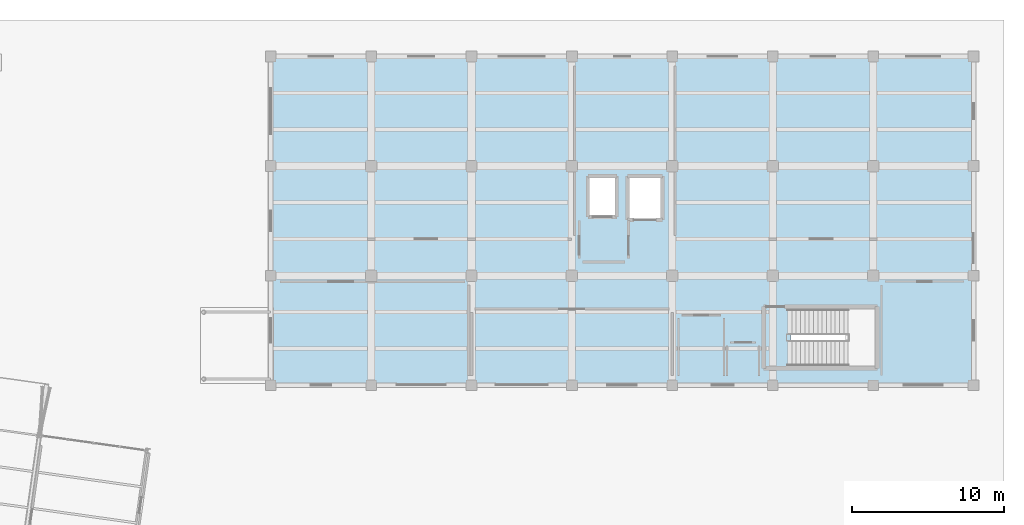
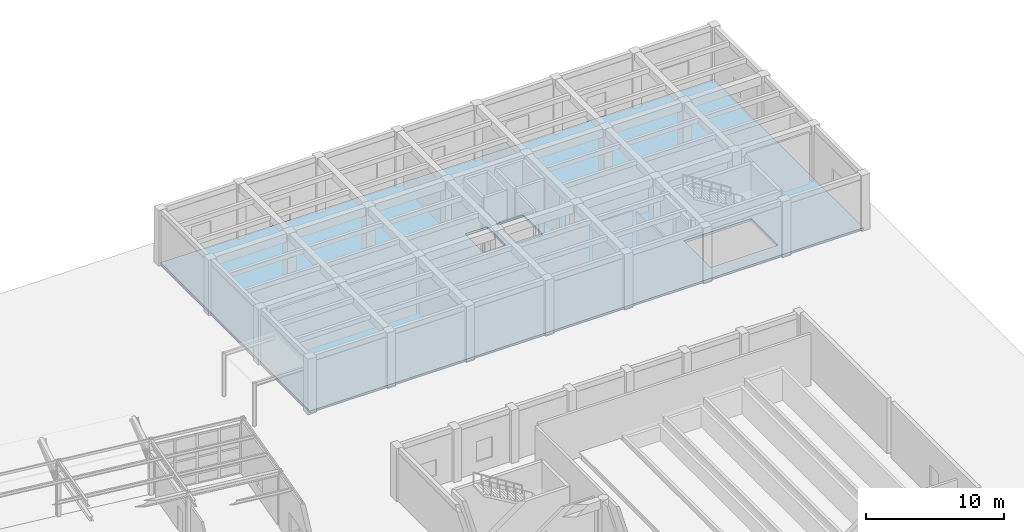
# One storey, part 36 of 57: 1 slab.
"""IFC4 building model written with IfcOpenShell, lengths in metres."""

from ifc_helpers import new_model, si_unit, direction, frame, origin, place, context, subcontext, project, spatial, polyline, outline, extrude, material, layer, layer_set, type_object, element, save


model = new_model("IFC4")

# Units and contexts
model_context = context("Model", 3, precision=1e-05, world=origin(), true_north=direction((0.0, 1.0)))
body_context = subcontext(model_context, "Body", "Model", "MODEL_VIEW")
ifc_project = project(units=[si_unit("LENGTHUNIT", "METRE"), si_unit("AREAUNIT", "SQUARE_METRE"), si_unit("VOLUMEUNIT", "CUBIC_METRE"), si_unit("PLANEANGLEUNIT", "RADIAN"), si_unit("MASSUNIT", "GRAM", prefix="KILO")], contexts=[model_context])

# Site, building, storey
site_placement = place(None, origin())
site = spatial("IfcSite", under=ifc_project, at=site_placement, CompositionType="ELEMENT")
building_placement = place(site_placement, origin())
building = spatial("IfcBuilding", under=site, at=building_placement, Name="Kharisveld Research Institute", CompositionType="ELEMENT")
storey_placement = place(building_placement, origin())
storey = spatial("IfcBuildingStorey", under=building, at=storey_placement, Name="L00", CompositionType="ELEMENT", Elevation=0.0)

# Slab
ifc_material = material(Name="Concrete C40/50", Category="concrete")
ifc_layer = layer(ifc_material, 0.2099609375)
ifc_layer_set = layer_set([ifc_layer], Name="SL_FLR_210")
slab_type = type_object("IfcSlabType", Name="SL_FLR_210", PredefinedType="FLOOR", material=ifc_layer_set)
slab_placement = place(storey_placement, frame((0.0, 0.0, -0.2099609375)))
element("IfcSlab", 1, at=slab_placement, inside=storey, type_object=slab_type, Name="SLAB:V2:L00:MAIN", PredefinedType="FLOOR", context=body_context, shape_type="SweptSolid", body=[
    extrude(outline(polyline([(114.60009765625, 39.199951171875), (160.800048828125, 39.199951171875), (160.800048828125, 60.800048828125), (114.60009765625, 60.800048828125), (114.60009765625, 39.199951171875)]), holes=[polyline([(154.35009765625, 44.260009765625), (154.35009765625, 40.39990234375), (148.75, 40.39990234375), (148.75, 44.260009765625), (154.35009765625, 44.260009765625)]), polyline([(140.320068359375, 50.080078125), (138.080078125, 50.080078125), (138.080078125, 52.919921875), (140.320068359375, 52.919921875), (140.320068359375, 50.080078125)]), polyline([(137.320068359375, 50.280029296875), (135.47998046875, 50.280029296875), (135.47998046875, 52.919921875), (137.320068359375, 52.919921875), (137.320068359375, 50.280029296875)])]), origin(), (0.0, 0.0, 1.0), 0.2099609375),
])

save(model, "model.ifc")
